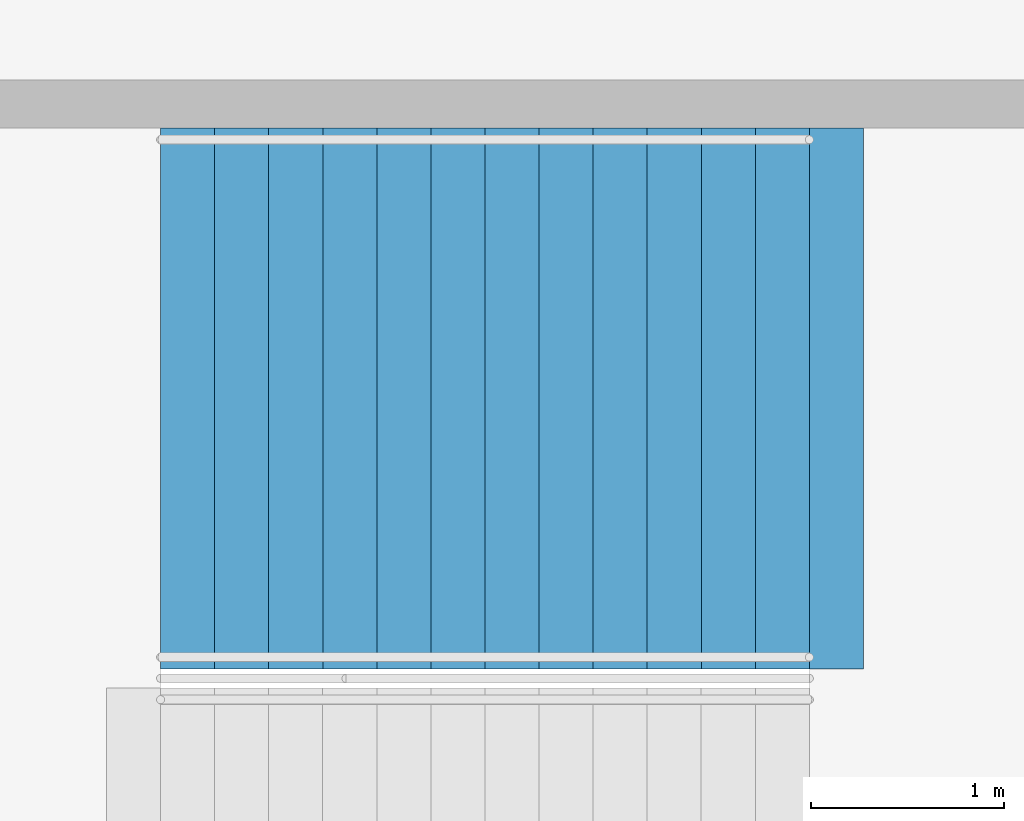
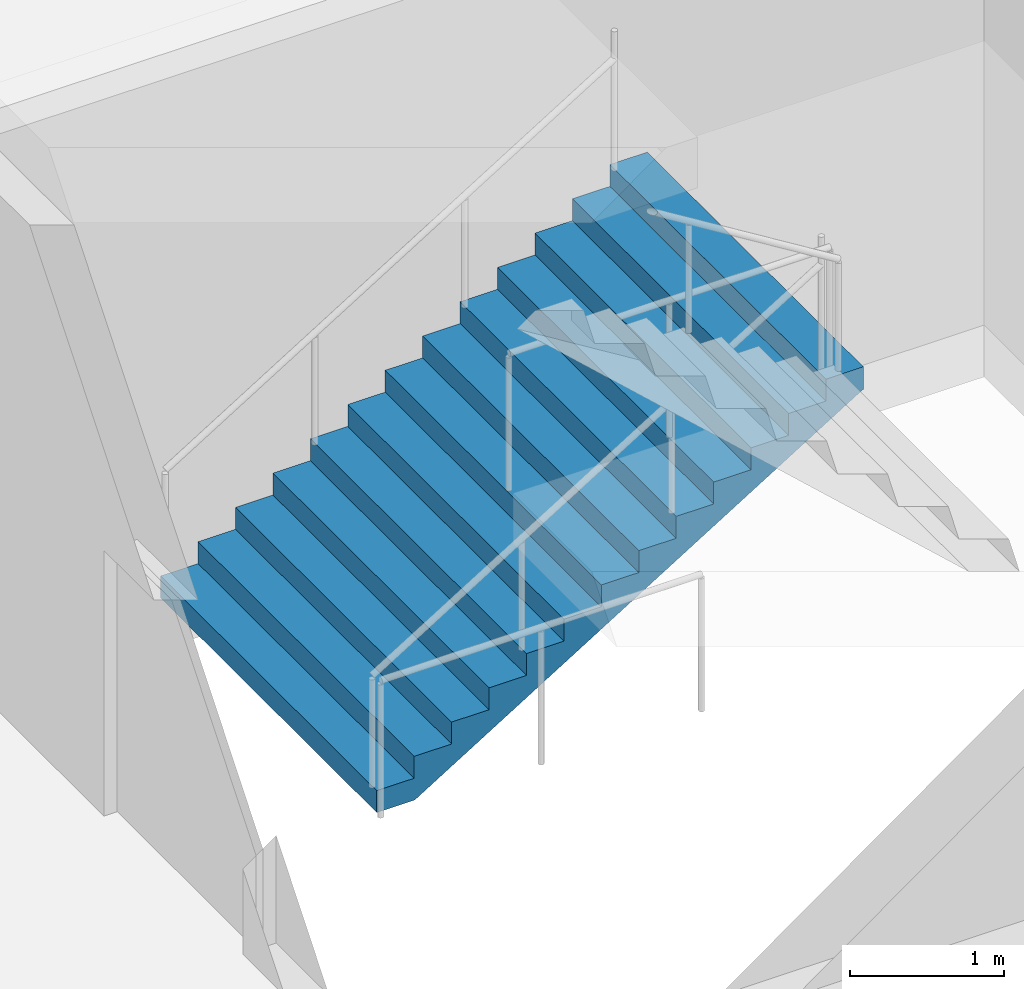
# One storey, part 148 of 199: 1 stair flight, 1 element without a shape of its own.
"""IFC4 building model written with IfcOpenShell, lengths in metres."""

from ifc_helpers import new_model, si_unit, direction, frame, origin, place, context, subcontext, project, spatial, faceted_brep, material, type_object, element, aggregate, save


model = new_model("IFC4")

# Units and contexts
model_context = context("Model", 3, precision=1e-05, world=origin(), true_north=direction((0.0, 1.0)))
body_context = subcontext(model_context, "Body", "Model", "MODEL_VIEW")
ifc_project = project(units=[si_unit("LENGTHUNIT", "METRE"), si_unit("AREAUNIT", "SQUARE_METRE"), si_unit("VOLUMEUNIT", "CUBIC_METRE"), si_unit("PLANEANGLEUNIT", "RADIAN"), si_unit("MASSUNIT", "GRAM", prefix="KILO")], contexts=[model_context])

# Site, building, storey
site_placement = place(None, origin())
site = spatial("IfcSite", under=ifc_project, at=site_placement, CompositionType="ELEMENT")
building_placement = place(site_placement, origin())
building = spatial("IfcBuilding", under=site, at=building_placement, Name="Ogive Plaza Stadium", CompositionType="ELEMENT")
storey_placement = place(building_placement, frame((0.0, 0.0, 4.5)))
storey = spatial("IfcBuildingStorey", under=building, at=storey_placement, Name="L01", CompositionType="ELEMENT", Elevation=4.5)

# Stair, stair flight
ifc_material_1 = material(Name="Concrete C40/50", Category="concrete")
stair_type = type_object("IfcStairType", Name="Exit stair", PredefinedType="STRAIGHT_RUN_STAIR", material=ifc_material_1)
stair_placement = place(storey_placement, origin())
stair = element("IfcStair", 1, at=stair_placement, inside=storey, type_object=stair_type, Name="Exit stair ST06B L01 to L02", PredefinedType="STRAIGHT_RUN_STAIR")
ifc_material_2 = material(Name="Concrete C40/50", Category="concrete")
stair_flight_type = type_object("IfcStairFlightType", Name="Exit stair flight", PredefinedType="STRAIGHT", material=ifc_material_2)
stair_flight_placement = place(storey_placement, frame((76.35009765625, -18.074951171875, 0.0), z_axis=(0.0, 0.0, 1.0), x_axis=(1.0, 0.0, 0.0)))
stair_flight = element("IfcStairFlight", 2, at=stair_flight_placement, type_object=stair_flight_type, Name="ST06B flight 1", NumberOfRisers=13, NumberOfTreads=12, PredefinedType="STRAIGHT", RiserHeight=0.173076923, TreadLength=0.28, context=body_context, shape_type="Brep", body=[
    faceted_brep([(0.28515625, -1.39990234375, 0.0), (3.639892578125, -1.39990234375, 2.07373046875), (3.639892578125, -1.39990234375, 2.25), (3.360107421875, -1.39990234375, 2.25), (3.360107421875, -1.39990234375, 2.076904296875), (3.080078125, -1.39990234375, 2.076904296875), (3.080078125, -1.39990234375, 1.90380859375), (2.800048828125, -1.39990234375, 1.90380859375), (2.800048828125, -1.39990234375, 1.730712890625), (2.52001953125, -1.39990234375, 1.730712890625), (2.52001953125, -1.39990234375, 1.5576171875), (2.239990234375, -1.39990234375, 1.5576171875), (2.239990234375, -1.39990234375, 1.384521484375), (1.9599609375, -1.39990234375, 1.384521484375), (1.9599609375, -1.39990234375, 1.21142578125), (1.679931640625, -1.39990234375, 1.21142578125), (1.679931640625, -1.39990234375, 1.03857421875), (1.39990234375, -1.39990234375, 1.03857421875), (1.39990234375, -1.39990234375, 0.865478515625), (1.1201171875, -1.39990234375, 0.865478515625), (1.1201171875, -1.39990234375, 0.6923828125), (0.840087890625, -1.39990234375, 0.6923828125), (0.840087890625, -1.39990234375, 0.519287109375), (0.56005859375, -1.39990234375, 0.519287109375), (0.56005859375, -1.39990234375, 0.34619140625), (0.280029296875, -1.39990234375, 0.34619140625), (0.280029296875, -1.39990234375, 0.173095703125), (0.0, -1.39990234375, 0.173095703125), (0.0, -1.39990234375, 0.0), (0.0, 1.39990234375, 0.0), (0.0, 1.39990234375, 0.173095703125), (0.280029296875, 1.39990234375, 0.173095703125), (0.280029296875, 1.39990234375, 0.34619140625), (0.56005859375, 1.39990234375, 0.34619140625), (0.56005859375, 1.39990234375, 0.519287109375), (0.840087890625, 1.39990234375, 0.519287109375), (0.840087890625, 1.39990234375, 0.6923828125), (1.1201171875, 1.39990234375, 0.6923828125), (1.1201171875, 1.39990234375, 0.865478515625), (1.39990234375, 1.39990234375, 0.865478515625), (1.39990234375, 1.39990234375, 1.03857421875), (1.679931640625, 1.39990234375, 1.03857421875), (1.679931640625, 1.39990234375, 1.21142578125), (1.9599609375, 1.39990234375, 1.21142578125), (1.9599609375, 1.39990234375, 1.384521484375), (2.239990234375, 1.39990234375, 1.384521484375), (2.239990234375, 1.39990234375, 1.5576171875), (2.52001953125, 1.39990234375, 1.5576171875), (2.52001953125, 1.39990234375, 1.730712890625), (2.800048828125, 1.39990234375, 1.730712890625), (2.800048828125, 1.39990234375, 1.90380859375), (3.080078125, 1.39990234375, 1.90380859375), (3.080078125, 1.39990234375, 2.076904296875), (3.360107421875, 1.39990234375, 2.076904296875), (3.360107421875, 1.39990234375, 2.25), (3.639892578125, 1.39990234375, 2.25), (3.639892578125, 1.39990234375, 2.07373046875), (0.28515625, 1.39990234375, 0.0), (0.28515625, -1.0888671875, 0.0), (3.639892578125, -1.0888671875, 2.07373046875), (0.28515625, -0.77783203125, 0.0), (3.639892578125, -0.77783203125, 2.07373046875), (0.28515625, -0.466796875, 0.0), (3.639892578125, -0.466796875, 2.07373046875), (0.28515625, -0.155517578125, 0.0), (3.639892578125, -0.155517578125, 2.07373046875), (0.28515625, 0.155517578125, 0.0), (3.639892578125, 0.155517578125, 2.07373046875), (0.28515625, 0.466796875, 0.0), (3.639892578125, 0.466796875, 2.07373046875), (0.28515625, 0.77783203125, 0.0), (3.639892578125, 0.77783203125, 2.07373046875), (0.28515625, 1.0888671875, 0.0), (3.639892578125, 1.0888671875, 2.07373046875), (3.639892578125, -1.0888671875, 2.25), (3.639892578125, -0.77783203125, 2.25), (3.639892578125, -0.466796875, 2.25), (3.639892578125, -0.155517578125, 2.25), (3.639892578125, 0.155517578125, 2.25), (3.639892578125, 0.466796875, 2.25), (3.639892578125, 0.77783203125, 2.25), (3.639892578125, 1.0888671875, 2.25), (3.360107421875, -1.0888671875, 2.25), (3.360107421875, -0.77783203125, 2.25), (3.360107421875, -0.466796875, 2.25), (3.360107421875, -0.155517578125, 2.25), (3.360107421875, 0.155517578125, 2.25), (3.360107421875, 0.466796875, 2.25), (3.360107421875, 0.77783203125, 2.25), (3.360107421875, 1.0888671875, 2.25), (3.360107421875, -1.0888671875, 2.076904296875), (3.360107421875, -0.77783203125, 2.076904296875), (3.360107421875, -0.466796875, 2.076904296875), (3.360107421875, -0.155517578125, 2.076904296875), (3.360107421875, 0.155517578125, 2.076904296875), (3.360107421875, 0.466796875, 2.076904296875), (3.360107421875, 0.77783203125, 2.076904296875), (3.360107421875, 1.0888671875, 2.076904296875), (3.080078125, -1.0888671875, 2.076904296875), (3.080078125, -0.77783203125, 2.076904296875), (3.080078125, -0.466796875, 2.076904296875), (3.080078125, -0.155517578125, 2.076904296875), (3.080078125, 0.155517578125, 2.076904296875), (3.080078125, 0.466796875, 2.076904296875), (3.080078125, 0.77783203125, 2.076904296875), (3.080078125, 1.0888671875, 2.076904296875), (3.080078125, -1.0888671875, 1.90380859375), (3.080078125, -0.77783203125, 1.90380859375), (3.080078125, -0.466796875, 1.90380859375), (3.080078125, -0.155517578125, 1.90380859375), (3.080078125, 0.155517578125, 1.90380859375), (3.080078125, 0.466796875, 1.90380859375), (3.080078125, 0.77783203125, 1.90380859375), (3.080078125, 1.0888671875, 1.90380859375), (2.800048828125, -1.0888671875, 1.90380859375), (2.800048828125, -0.77783203125, 1.90380859375), (2.800048828125, -0.466796875, 1.90380859375), (2.800048828125, -0.155517578125, 1.90380859375), (2.800048828125, 0.155517578125, 1.90380859375), (2.800048828125, 0.466796875, 1.90380859375), (2.800048828125, 0.77783203125, 1.90380859375), (2.800048828125, 1.0888671875, 1.90380859375), (2.800048828125, -1.0888671875, 1.730712890625), (2.800048828125, -0.77783203125, 1.730712890625), (2.800048828125, -0.466796875, 1.730712890625), (2.800048828125, -0.155517578125, 1.730712890625), (2.800048828125, 0.155517578125, 1.730712890625), (2.800048828125, 0.466796875, 1.730712890625), (2.800048828125, 0.77783203125, 1.730712890625), (2.800048828125, 1.0888671875, 1.730712890625), (2.52001953125, -1.0888671875, 1.730712890625), (2.52001953125, -0.77783203125, 1.730712890625), (2.52001953125, -0.466796875, 1.730712890625), (2.52001953125, -0.155517578125, 1.730712890625), (2.52001953125, 0.155517578125, 1.730712890625), (2.52001953125, 0.466796875, 1.730712890625), (2.52001953125, 0.77783203125, 1.730712890625), (2.52001953125, 1.0888671875, 1.730712890625), (2.52001953125, -1.0888671875, 1.5576171875), (2.52001953125, -0.77783203125, 1.5576171875), (2.52001953125, -0.466796875, 1.5576171875), (2.52001953125, -0.155517578125, 1.5576171875), (2.52001953125, 0.155517578125, 1.5576171875), (2.52001953125, 0.466796875, 1.5576171875), (2.52001953125, 0.77783203125, 1.5576171875), (2.52001953125, 1.0888671875, 1.5576171875), (2.239990234375, -1.0888671875, 1.5576171875), (2.239990234375, -0.77783203125, 1.5576171875), (2.239990234375, -0.466796875, 1.5576171875), (2.239990234375, -0.155517578125, 1.5576171875), (2.239990234375, 0.155517578125, 1.5576171875), (2.239990234375, 0.466796875, 1.5576171875), (2.239990234375, 0.77783203125, 1.5576171875), (2.239990234375, 1.0888671875, 1.5576171875), (2.239990234375, -1.0888671875, 1.384521484375), (2.239990234375, -0.77783203125, 1.384521484375), (2.239990234375, -0.466796875, 1.384521484375), (2.239990234375, -0.155517578125, 1.384521484375), (2.239990234375, 0.155517578125, 1.384521484375), (2.239990234375, 0.466796875, 1.384521484375), (2.239990234375, 0.77783203125, 1.384521484375), (2.239990234375, 1.0888671875, 1.384521484375), (1.9599609375, -1.0888671875, 1.384521484375), (1.9599609375, -0.77783203125, 1.384521484375), (1.9599609375, -0.466796875, 1.384521484375), (1.9599609375, -0.155517578125, 1.384521484375), (1.9599609375, 0.155517578125, 1.384521484375), (1.9599609375, 0.466796875, 1.384521484375), (1.9599609375, 0.77783203125, 1.384521484375), (1.9599609375, 1.0888671875, 1.384521484375), (1.9599609375, -1.0888671875, 1.21142578125), (1.9599609375, -0.77783203125, 1.21142578125), (1.9599609375, -0.466796875, 1.21142578125), (1.9599609375, -0.155517578125, 1.21142578125), (1.9599609375, 0.155517578125, 1.21142578125), (1.9599609375, 0.466796875, 1.21142578125), (1.9599609375, 0.77783203125, 1.21142578125), (1.9599609375, 1.0888671875, 1.21142578125), (1.679931640625, -1.0888671875, 1.21142578125), (1.679931640625, -0.77783203125, 1.21142578125), (1.679931640625, -0.466796875, 1.21142578125), (1.679931640625, -0.155517578125, 1.21142578125), (1.679931640625, 0.155517578125, 1.21142578125), (1.679931640625, 0.466796875, 1.21142578125), (1.679931640625, 0.77783203125, 1.21142578125), (1.679931640625, 1.0888671875, 1.21142578125), (1.679931640625, -1.0888671875, 1.03857421875), (1.679931640625, -0.77783203125, 1.03857421875), (1.679931640625, -0.466796875, 1.03857421875), (1.679931640625, -0.155517578125, 1.03857421875), (1.679931640625, 0.155517578125, 1.03857421875), (1.679931640625, 0.466796875, 1.03857421875), (1.679931640625, 0.77783203125, 1.03857421875), (1.679931640625, 1.0888671875, 1.03857421875), (1.39990234375, -1.0888671875, 1.03857421875), (1.39990234375, -0.77783203125, 1.03857421875), (1.39990234375, -0.466796875, 1.03857421875), (1.39990234375, -0.155517578125, 1.03857421875), (1.39990234375, 0.155517578125, 1.03857421875), (1.39990234375, 0.466796875, 1.03857421875), (1.39990234375, 0.77783203125, 1.03857421875), (1.39990234375, 1.0888671875, 1.03857421875), (1.39990234375, -1.0888671875, 0.865478515625), (1.39990234375, -0.77783203125, 0.865478515625), (1.39990234375, -0.466796875, 0.865478515625), (1.39990234375, -0.155517578125, 0.865478515625), (1.39990234375, 0.155517578125, 0.865478515625), (1.39990234375, 0.466796875, 0.865478515625), (1.39990234375, 0.77783203125, 0.865478515625), (1.39990234375, 1.0888671875, 0.865478515625), (1.1201171875, -1.0888671875, 0.865478515625), (1.1201171875, -0.77783203125, 0.865478515625), (1.1201171875, -0.466796875, 0.865478515625), (1.1201171875, -0.155517578125, 0.865478515625), (1.1201171875, 0.155517578125, 0.865478515625), (1.1201171875, 0.466796875, 0.865478515625), (1.1201171875, 0.77783203125, 0.865478515625), (1.1201171875, 1.0888671875, 0.865478515625), (1.1201171875, -1.0888671875, 0.6923828125), (1.1201171875, -0.77783203125, 0.6923828125), (1.1201171875, -0.466796875, 0.6923828125), (1.1201171875, -0.155517578125, 0.6923828125), (1.1201171875, 0.155517578125, 0.6923828125), (1.1201171875, 0.466796875, 0.6923828125), (1.1201171875, 0.77783203125, 0.6923828125), (1.1201171875, 1.0888671875, 0.6923828125), (0.840087890625, -1.0888671875, 0.6923828125), (0.840087890625, -0.77783203125, 0.6923828125), (0.840087890625, -0.466796875, 0.6923828125), (0.840087890625, -0.155517578125, 0.6923828125), (0.840087890625, 0.155517578125, 0.6923828125), (0.840087890625, 0.466796875, 0.6923828125), (0.840087890625, 0.77783203125, 0.6923828125), (0.840087890625, 1.0888671875, 0.6923828125), (0.840087890625, -1.0888671875, 0.519287109375), (0.840087890625, -0.77783203125, 0.519287109375), (0.840087890625, -0.466796875, 0.519287109375), (0.840087890625, -0.155517578125, 0.519287109375), (0.840087890625, 0.155517578125, 0.519287109375), (0.840087890625, 0.466796875, 0.519287109375), (0.840087890625, 0.77783203125, 0.519287109375), (0.840087890625, 1.0888671875, 0.519287109375), (0.56005859375, -1.0888671875, 0.519287109375), (0.56005859375, -0.77783203125, 0.519287109375), (0.56005859375, -0.466796875, 0.519287109375), (0.56005859375, -0.155517578125, 0.519287109375), (0.56005859375, 0.155517578125, 0.519287109375), (0.56005859375, 0.466796875, 0.519287109375), (0.56005859375, 0.77783203125, 0.519287109375), (0.56005859375, 1.0888671875, 0.519287109375), (0.56005859375, -1.0888671875, 0.34619140625), (0.56005859375, -0.77783203125, 0.34619140625), (0.56005859375, -0.466796875, 0.34619140625), (0.56005859375, -0.155517578125, 0.34619140625), (0.56005859375, 0.155517578125, 0.34619140625), (0.56005859375, 0.466796875, 0.34619140625), (0.56005859375, 0.77783203125, 0.34619140625), (0.56005859375, 1.0888671875, 0.34619140625), (0.280029296875, -1.0888671875, 0.34619140625), (0.280029296875, -0.77783203125, 0.34619140625), (0.280029296875, -0.466796875, 0.34619140625), (0.280029296875, -0.155517578125, 0.34619140625), (0.280029296875, 0.155517578125, 0.34619140625), (0.280029296875, 0.466796875, 0.34619140625), (0.280029296875, 0.77783203125, 0.34619140625), (0.280029296875, 1.0888671875, 0.34619140625), (0.280029296875, -1.0888671875, 0.173095703125), (0.280029296875, -0.77783203125, 0.173095703125), (0.280029296875, -0.466796875, 0.173095703125), (0.280029296875, -0.155517578125, 0.173095703125), (0.280029296875, 0.155517578125, 0.173095703125), (0.280029296875, 0.466796875, 0.173095703125), (0.280029296875, 0.77783203125, 0.173095703125), (0.280029296875, 1.0888671875, 0.173095703125), (0.0, -1.0888671875, 0.173095703125), (0.0, -0.77783203125, 0.173095703125), (0.0, -0.466796875, 0.173095703125), (0.0, -0.155517578125, 0.173095703125), (0.0, 0.155517578125, 0.173095703125), (0.0, 0.466796875, 0.173095703125), (0.0, 0.77783203125, 0.173095703125), (0.0, 1.0888671875, 0.173095703125), (0.0, -1.0888671875, 0.0), (0.0, -0.77783203125, 0.0), (0.0, -0.466796875, 0.0), (0.0, -0.155517578125, 0.0), (0.0, 0.155517578125, 0.0), (0.0, 0.466796875, 0.0), (0.0, 0.77783203125, 0.0), (0.0, 1.0888671875, 0.0)], [[[0, 1, 2, 3, 4, 5, 6, 7, 8, 9, 10, 11, 12, 13, 14, 15, 16, 17, 18, 19, 20, 21, 22, 23, 24, 25, 26, 27, 28]], [[29, 30, 31, 32, 33, 34, 35, 36, 37, 38, 39, 40, 41, 42, 43, 44, 45, 46, 47, 48, 49, 50, 51, 52, 53, 54, 55, 56, 57]], [[0, 58, 59, 1]], [[58, 60, 61, 59]], [[60, 62, 63, 61]], [[62, 64, 65, 63]], [[64, 66, 67, 65]], [[66, 68, 69, 67]], [[68, 70, 71, 69]], [[70, 72, 73, 71]], [[72, 57, 56, 73]], [[1, 59, 74, 2]], [[59, 61, 75, 74]], [[61, 63, 76, 75]], [[63, 65, 77, 76]], [[65, 67, 78, 77]], [[67, 69, 79, 78]], [[69, 71, 80, 79]], [[71, 73, 81, 80]], [[73, 56, 55, 81]], [[2, 74, 82, 3]], [[74, 75, 83, 82]], [[75, 76, 84, 83]], [[76, 77, 85, 84]], [[77, 78, 86, 85]], [[78, 79, 87, 86]], [[79, 80, 88, 87]], [[80, 81, 89, 88]], [[81, 55, 54, 89]], [[3, 82, 90, 4]], [[82, 83, 91, 90]], [[83, 84, 92, 91]], [[84, 85, 93, 92]], [[85, 86, 94, 93]], [[86, 87, 95, 94]], [[87, 88, 96, 95]], [[88, 89, 97, 96]], [[89, 54, 53, 97]], [[4, 90, 98, 5]], [[90, 91, 99, 98]], [[91, 92, 100, 99]], [[92, 93, 101, 100]], [[93, 94, 102, 101]], [[94, 95, 103, 102]], [[95, 96, 104, 103]], [[96, 97, 105, 104]], [[97, 53, 52, 105]], [[5, 98, 106, 6]], [[98, 99, 107, 106]], [[99, 100, 108, 107]], [[100, 101, 109, 108]], [[101, 102, 110, 109]], [[102, 103, 111, 110]], [[103, 104, 112, 111]], [[104, 105, 113, 112]], [[105, 52, 51, 113]], [[6, 106, 114, 7]], [[106, 107, 115, 114]], [[107, 108, 116, 115]], [[108, 109, 117, 116]], [[109, 110, 118, 117]], [[110, 111, 119, 118]], [[111, 112, 120, 119]], [[112, 113, 121, 120]], [[113, 51, 50, 121]], [[7, 114, 122, 8]], [[114, 115, 123, 122]], [[115, 116, 124, 123]], [[116, 117, 125, 124]], [[117, 118, 126, 125]], [[118, 119, 127, 126]], [[119, 120, 128, 127]], [[120, 121, 129, 128]], [[121, 50, 49, 129]], [[8, 122, 130, 9]], [[122, 123, 131, 130]], [[123, 124, 132, 131]], [[124, 125, 133, 132]], [[125, 126, 134, 133]], [[126, 127, 135, 134]], [[127, 128, 136, 135]], [[128, 129, 137, 136]], [[129, 49, 48, 137]], [[9, 130, 138, 10]], [[130, 131, 139, 138]], [[131, 132, 140, 139]], [[132, 133, 141, 140]], [[133, 134, 142, 141]], [[134, 135, 143, 142]], [[135, 136, 144, 143]], [[136, 137, 145, 144]], [[137, 48, 47, 145]], [[10, 138, 146, 11]], [[138, 139, 147, 146]], [[139, 140, 148, 147]], [[140, 141, 149, 148]], [[141, 142, 150, 149]], [[142, 143, 151, 150]], [[143, 144, 152, 151]], [[144, 145, 153, 152]], [[145, 47, 46, 153]], [[11, 146, 154, 12]], [[146, 147, 155, 154]], [[147, 148, 156, 155]], [[148, 149, 157, 156]], [[149, 150, 158, 157]], [[150, 151, 159, 158]], [[151, 152, 160, 159]], [[152, 153, 161, 160]], [[153, 46, 45, 161]], [[12, 154, 162, 13]], [[154, 155, 163, 162]], [[155, 156, 164, 163]], [[156, 157, 165, 164]], [[157, 158, 166, 165]], [[158, 159, 167, 166]], [[159, 160, 168, 167]], [[160, 161, 169, 168]], [[161, 45, 44, 169]], [[13, 162, 170, 14]], [[162, 163, 171, 170]], [[163, 164, 172, 171]], [[164, 165, 173, 172]], [[165, 166, 174, 173]], [[166, 167, 175, 174]], [[167, 168, 176, 175]], [[168, 169, 177, 176]], [[169, 44, 43, 177]], [[14, 170, 178, 15]], [[170, 171, 179, 178]], [[171, 172, 180, 179]], [[172, 173, 181, 180]], [[173, 174, 182, 181]], [[174, 175, 183, 182]], [[175, 176, 184, 183]], [[176, 177, 185, 184]], [[177, 43, 42, 185]], [[15, 178, 186, 16]], [[178, 179, 187, 186]], [[179, 180, 188, 187]], [[180, 181, 189, 188]], [[181, 182, 190, 189]], [[182, 183, 191, 190]], [[183, 184, 192, 191]], [[184, 185, 193, 192]], [[185, 42, 41, 193]], [[16, 186, 194, 17]], [[186, 187, 195, 194]], [[187, 188, 196, 195]], [[188, 189, 197, 196]], [[189, 190, 198, 197]], [[190, 191, 199, 198]], [[191, 192, 200, 199]], [[192, 193, 201, 200]], [[193, 41, 40, 201]], [[17, 194, 202, 18]], [[194, 195, 203, 202]], [[195, 196, 204, 203]], [[196, 197, 205, 204]], [[197, 198, 206, 205]], [[198, 199, 207, 206]], [[199, 200, 208, 207]], [[200, 201, 209, 208]], [[201, 40, 39, 209]], [[18, 202, 210, 19]], [[202, 203, 211, 210]], [[203, 204, 212, 211]], [[204, 205, 213, 212]], [[205, 206, 214, 213]], [[206, 207, 215, 214]], [[207, 208, 216, 215]], [[208, 209, 217, 216]], [[209, 39, 38, 217]], [[19, 210, 218, 20]], [[210, 211, 219, 218]], [[211, 212, 220, 219]], [[212, 213, 221, 220]], [[213, 214, 222, 221]], [[214, 215, 223, 222]], [[215, 216, 224, 223]], [[216, 217, 225, 224]], [[217, 38, 37, 225]], [[20, 218, 226, 21]], [[218, 219, 227, 226]], [[219, 220, 228, 227]], [[220, 221, 229, 228]], [[221, 222, 230, 229]], [[222, 223, 231, 230]], [[223, 224, 232, 231]], [[224, 225, 233, 232]], [[225, 37, 36, 233]], [[21, 226, 234, 22]], [[226, 227, 235, 234]], [[227, 228, 236, 235]], [[228, 229, 237, 236]], [[229, 230, 238, 237]], [[230, 231, 239, 238]], [[231, 232, 240, 239]], [[232, 233, 241, 240]], [[233, 36, 35, 241]], [[22, 234, 242, 23]], [[234, 235, 243, 242]], [[235, 236, 244, 243]], [[236, 237, 245, 244]], [[237, 238, 246, 245]], [[238, 239, 247, 246]], [[239, 240, 248, 247]], [[240, 241, 249, 248]], [[241, 35, 34, 249]], [[23, 242, 250, 24]], [[242, 243, 251, 250]], [[243, 244, 252, 251]], [[244, 245, 253, 252]], [[245, 246, 254, 253]], [[246, 247, 255, 254]], [[247, 248, 256, 255]], [[248, 249, 257, 256]], [[249, 34, 33, 257]], [[24, 250, 258, 25]], [[250, 251, 259, 258]], [[251, 252, 260, 259]], [[252, 253, 261, 260]], [[253, 254, 262, 261]], [[254, 255, 263, 262]], [[255, 256, 264, 263]], [[256, 257, 265, 264]], [[257, 33, 32, 265]], [[25, 258, 266, 26]], [[258, 259, 267, 266]], [[259, 260, 268, 267]], [[260, 261, 269, 268]], [[261, 262, 270, 269]], [[262, 263, 271, 270]], [[263, 264, 272, 271]], [[264, 265, 273, 272]], [[265, 32, 31, 273]], [[26, 266, 274, 27]], [[266, 267, 275, 274]], [[267, 268, 276, 275]], [[268, 269, 277, 276]], [[269, 270, 278, 277]], [[270, 271, 279, 278]], [[271, 272, 280, 279]], [[272, 273, 281, 280]], [[273, 31, 30, 281]], [[27, 274, 282, 28]], [[274, 275, 283, 282]], [[275, 276, 284, 283]], [[276, 277, 285, 284]], [[277, 278, 286, 285]], [[278, 279, 287, 286]], [[279, 280, 288, 287]], [[280, 281, 289, 288]], [[281, 30, 29, 289]], [[28, 282, 58, 0]], [[282, 283, 60, 58]], [[283, 284, 62, 60]], [[284, 285, 64, 62]], [[285, 286, 66, 64]], [[286, 287, 68, 66]], [[287, 288, 70, 68]], [[288, 289, 72, 70]], [[289, 29, 57, 72]]]),
])
aggregate(stair, [stair_flight])

save(model, "model.ifc")
